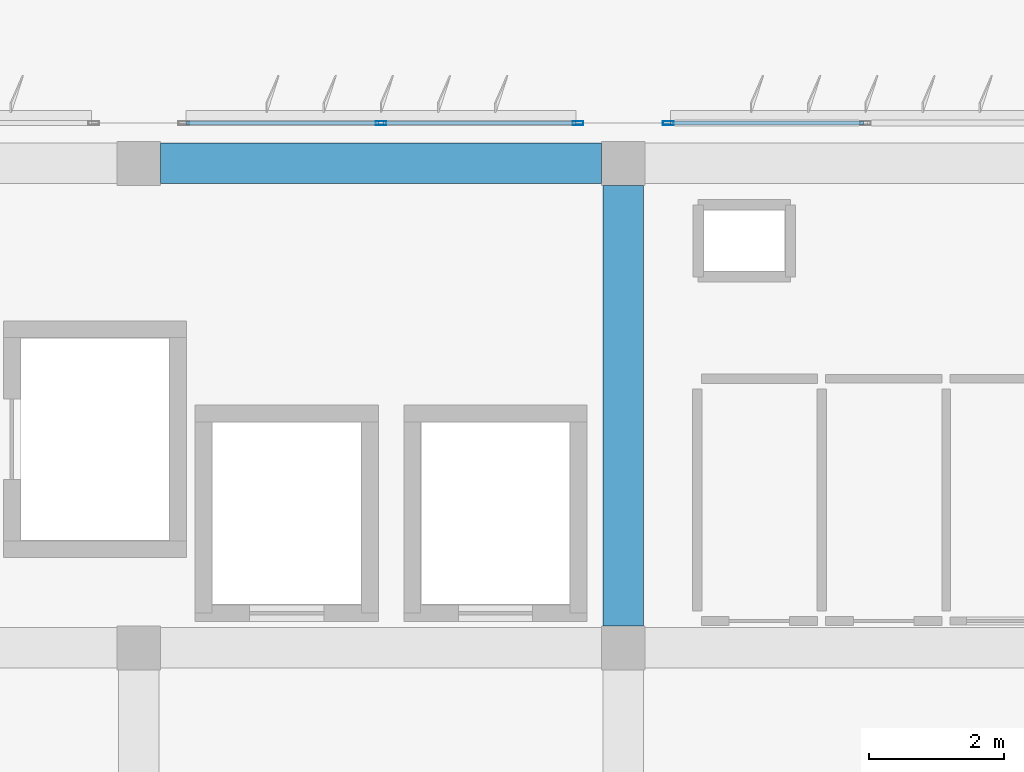
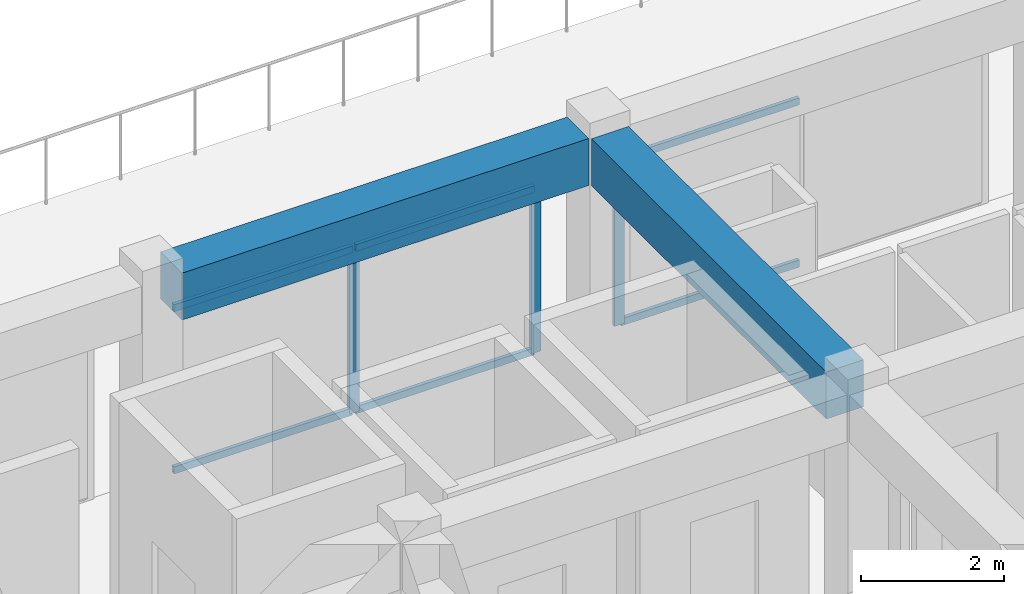
# One storey, part 13 of 42: 9 members, 2 beams, 2 elements without a shape of their own.
"""IFC4 building model written with IfcOpenShell, lengths in metres."""

from ifc_helpers import new_model, si_unit, direction, frame, origin, origin_2d, place, context, subcontext, project, spatial, rectangle, hollow_rectangle, extrude, material, material_profile, profile_set, type_object, element, aggregate, save


model = new_model("IFC4")

# Units and contexts
model_context = context("Model", 3, precision=1e-05, world=origin(), true_north=direction((0.0, 1.0)))
body_context = subcontext(model_context, "Body", "Model", "MODEL_VIEW")
ifc_project = project(units=[si_unit("LENGTHUNIT", "METRE"), si_unit("AREAUNIT", "SQUARE_METRE"), si_unit("VOLUMEUNIT", "CUBIC_METRE"), si_unit("PLANEANGLEUNIT", "RADIAN"), si_unit("MASSUNIT", "GRAM", prefix="KILO")], contexts=[model_context])

# Site, building, storey
site_placement = place(None, origin())
site = spatial("IfcSite", under=ifc_project, at=site_placement, CompositionType="ELEMENT")
building_placement = place(site_placement, origin())
building = spatial("IfcBuilding", under=site, at=building_placement, Name="Kazehaya Institute of Natural Sciences", CompositionType="ELEMENT")
storey_placement = place(building_placement, frame((0.0, 0.0, 37.6201171875)))
storey = spatial("IfcBuildingStorey", under=building, at=storey_placement, Name="L08", CompositionType="ELEMENT", Elevation=37.6201171875)

# Beams
ifc_material_1 = material(Name="Concrete Fc36", Category="concrete")
ifc_material_profile_1 = material_profile(ifc_material_1, rectangle(XDim=0.60009765625, YDim=0.800048828125, at=origin_2d()), Name="RC-600x800")
ifc_profile_set_1 = profile_set([ifc_material_profile_1], Name="Concrete Fc36")
beam_type = type_object("IfcBeamType", Name="BM-G-600x800", PredefinedType="BEAM", material=ifc_profile_set_1)
for number, where, z_axis, x_axis, name in (
    (1, (76.52490234375, 28.39990234375, 3.64990234375), (1.0, 0.0, 0.0), (0.0, 1.0, 0.0), "L08 primary X girder BMX-L08-762-284"),
    (2, (83.39990234375, 21.52490234375, 3.64990234375), (0.0, 1.0, 0.0), (-1.0, 0.0, 0.0), "L08 primary Y girder BMY-L08-834-212"),
):
    element("IfcBeam", number, at=place(storey_placement, frame(where, z_axis=z_axis, x_axis=x_axis)), inside=storey, type_object=beam_type, Name=name, PredefinedType="BEAM", context=body_context, shape_type="SweptSolid", body=[
        extrude(rectangle(XDim=0.60009765625, YDim=0.800048828125, at=origin_2d()), origin(), (0.0, 0.0, 1.0), 6.550048828125),
    ])

# Curtain wall, members
ifc_material_2 = material(Name="Aluminium alloy A6063S-T5", Category="aluminium")
curtain_wall_type = type_object("IfcCurtainWallType", Name="CW-SYS-05", PredefinedType="NOTDEFINED", material=ifc_material_2)
curtain_wall_1_placement = place(storey_placement, origin())
curtain_wall_1 = element("IfcCurtainWall", 3, at=curtain_wall_1_placement, inside=storey, type_object=curtain_wall_type, Name="L08 unitised curtain wall CW-L08-188", PredefinedType="NOTDEFINED")
ifc_material_profile_2 = material_profile(ifc_material_2, hollow_rectangle(XDim=0.06005859375, YDim=0.159912109375, WallThickness=0.00390625, at=origin_2d()), Name="ALU-60x160x4")
ifc_profile_set_2 = profile_set([ifc_material_profile_2], Name="Aluminium alloy A6063S-T5")
member_type_1 = type_object("IfcMemberType", Name="CWM-160", PredefinedType="MULLION", material=ifc_profile_set_2)
member_1_placement = place(storey_placement, frame((79.800048828125, 29.0, 0.0), z_axis=(0.0, 0.0, 1.0), x_axis=(0.0, 1.0, 0.0)))
member_1 = element("IfcMember", 4, at=member_1_placement, type_object=member_type_1, Name="CW05 mullion 2", PredefinedType="MULLION", context=body_context, shape_type="SweptSolid", body=[
    extrude(hollow_rectangle(XDim=0.06005859375, YDim=0.159912109375, WallThickness=0.00390625, at=origin_2d()), origin(), (0.0, 0.0, 1.0), 2.81982421875),
])
member_2_placement = place(storey_placement, frame((82.72998046875, 29.0, 0.0), z_axis=(0.0, 0.0, 1.0), x_axis=(0.0, 1.0, 0.0)))
member_2 = element("IfcMember", 5, at=member_2_placement, type_object=member_type_1, Name="CW05 mullion 3", PredefinedType="MULLION", context=body_context, shape_type="SweptSolid", body=[
    extrude(hollow_rectangle(XDim=0.06005859375, YDim=0.159912109375, WallThickness=0.00390625, at=origin_2d()), origin(), (0.0, 0.0, 1.0), 2.81982421875),
])

# Curtain wall, member
curtain_wall_2_placement = place(storey_placement, origin())
curtain_wall_2 = element("IfcCurtainWall", 6, at=curtain_wall_2_placement, inside=storey, type_object=curtain_wall_type, Name="L08 unitised curtain wall CW-L08-189", PredefinedType="NOTDEFINED")
member_3_placement = place(storey_placement, frame((84.070068359375, 29.0, 0.0), z_axis=(0.0, 0.0, 1.0), x_axis=(0.0, 1.0, 0.0)))
member_3 = element("IfcMember", 7, at=member_3_placement, type_object=member_type_1, Name="CW05 mullion 1", PredefinedType="MULLION", context=body_context, shape_type="SweptSolid", body=[
    extrude(hollow_rectangle(XDim=0.06005859375, YDim=0.159912109375, WallThickness=0.00390625, at=origin_2d()), origin(), (0.0, 0.0, 1.0), 2.81982421875),
])

# Member
ifc_material_profile_3 = material_profile(ifc_material_2, hollow_rectangle(XDim=0.06005859375, YDim=0.1201171875, WallThickness=0.00341796875, at=origin_2d()), Name="ALU-60x120x3.5")
ifc_profile_set_3 = profile_set([ifc_material_profile_3], Name="Aluminium alloy A6063S-T5")
member_type_2 = type_object("IfcMemberType", Name="CWT-120", PredefinedType="USERDEFINED", material=ifc_profile_set_3)
member_4_placement = place(storey_placement, frame((76.89990234375, 29.0, 0.02978515625), z_axis=(1.0, 0.0, 0.0), x_axis=(0.0, 1.0, 0.0)))
member_4 = element("IfcMember", 8, at=member_4_placement, type_object=member_type_2, Name="CW05 transom 1.1", ObjectType="TRANSOM", PredefinedType="USERDEFINED", context=body_context, shape_type="SweptSolid", body=[
    extrude(hollow_rectangle(XDim=0.06005859375, YDim=0.1201171875, WallThickness=0.00341796875, at=origin_2d()), origin(), (0.0, 0.0, 1.0), 2.8701171875),
])

member_5_placement = place(storey_placement, frame((76.89990234375, 29.0, 2.789794921875), z_axis=(1.0, 0.0, 0.0), x_axis=(0.0, 1.0, 0.0)))
member_5 = element("IfcMember", 9, at=member_5_placement, type_object=member_type_2, Name="CW05 transom 1.2", ObjectType="TRANSOM", PredefinedType="USERDEFINED", context=body_context, shape_type="SweptSolid", body=[
    extrude(hollow_rectangle(XDim=0.06005859375, YDim=0.1201171875, WallThickness=0.00341796875, at=origin_2d()), origin(), (0.0, 0.0, 1.0), 2.8701171875),
])

member_6_placement = place(storey_placement, frame((79.830078125, 29.0, 0.02978515625), z_axis=(1.0, 0.0, 0.0), x_axis=(0.0, 1.0, 0.0)))
member_6 = element("IfcMember", 10, at=member_6_placement, type_object=member_type_2, Name="CW05 transom 2.1", ObjectType="TRANSOM", PredefinedType="USERDEFINED", context=body_context, shape_type="SweptSolid", body=[
    extrude(hollow_rectangle(XDim=0.06005859375, YDim=0.1201171875, WallThickness=0.00341796875, at=origin_2d()), origin(), (0.0, 0.0, 1.0), 2.869873046875),
])

member_7_placement = place(storey_placement, frame((79.830078125, 29.0, 2.789794921875), z_axis=(1.0, 0.0, 0.0), x_axis=(0.0, 1.0, 0.0)))
member_7 = element("IfcMember", 11, at=member_7_placement, type_object=member_type_2, Name="CW05 transom 2.2", ObjectType="TRANSOM", PredefinedType="USERDEFINED", context=body_context, shape_type="SweptSolid", body=[
    extrude(hollow_rectangle(XDim=0.06005859375, YDim=0.1201171875, WallThickness=0.00341796875, at=origin_2d()), origin(), (0.0, 0.0, 1.0), 2.869873046875),
])

aggregate(curtain_wall_1, [member_1, member_2, member_4, member_5, member_6, member_7])

member_8_placement = place(storey_placement, frame((84.10009765625, 29.0, 0.02978515625), z_axis=(1.0, 0.0, 0.0), x_axis=(0.0, 1.0, 0.0)))
member_8 = element("IfcMember", 12, at=member_8_placement, type_object=member_type_2, Name="CW05 transom 1.1", ObjectType="TRANSOM", PredefinedType="USERDEFINED", context=body_context, shape_type="SweptSolid", body=[
    extrude(hollow_rectangle(XDim=0.06005859375, YDim=0.1201171875, WallThickness=0.00341796875, at=origin_2d()), origin(), (0.0, 0.0, 1.0), 2.869873046875),
])

member_9_placement = place(storey_placement, frame((84.10009765625, 29.0, 2.789794921875), z_axis=(1.0, 0.0, 0.0), x_axis=(0.0, 1.0, 0.0)))
member_9 = element("IfcMember", 13, at=member_9_placement, type_object=member_type_2, Name="CW05 transom 1.2", ObjectType="TRANSOM", PredefinedType="USERDEFINED", context=body_context, shape_type="SweptSolid", body=[
    extrude(hollow_rectangle(XDim=0.06005859375, YDim=0.1201171875, WallThickness=0.00341796875, at=origin_2d()), origin(), (0.0, 0.0, 1.0), 2.869873046875),
])

aggregate(curtain_wall_2, [member_3, member_8, member_9])

save(model, "model.ifc")
